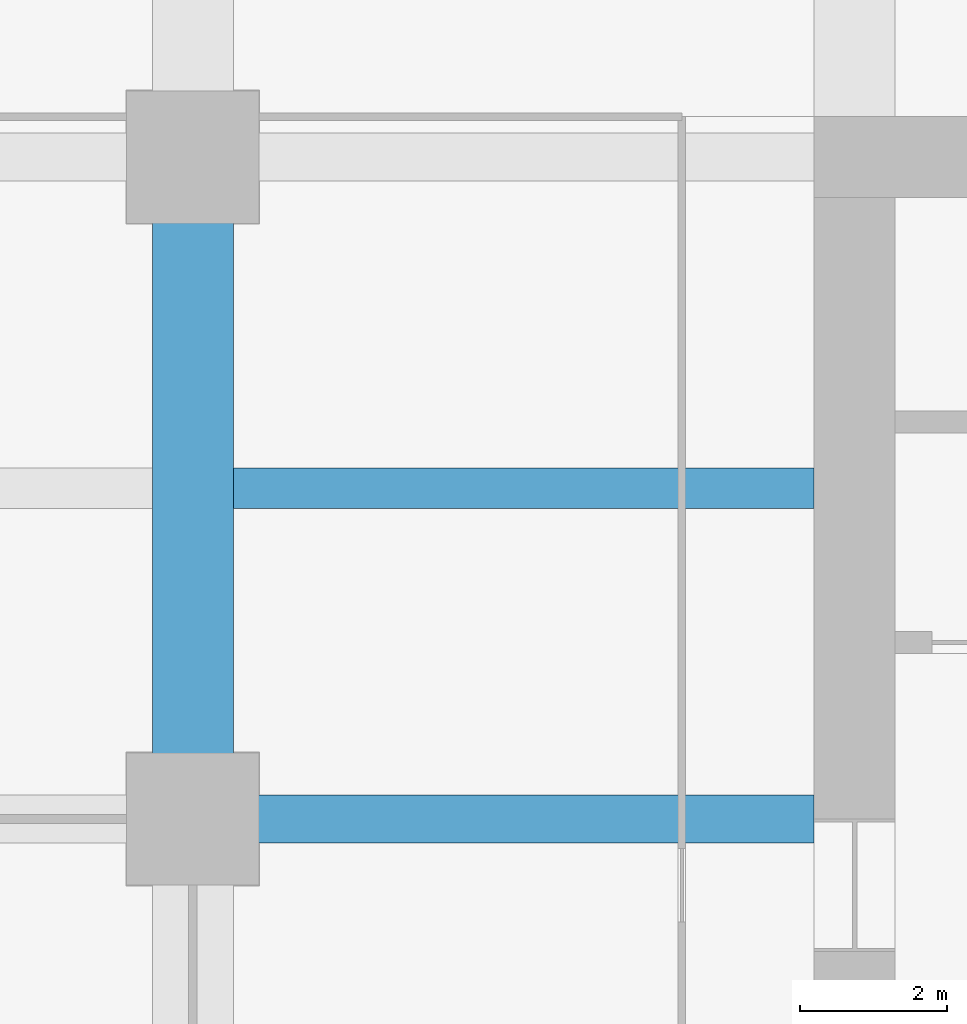
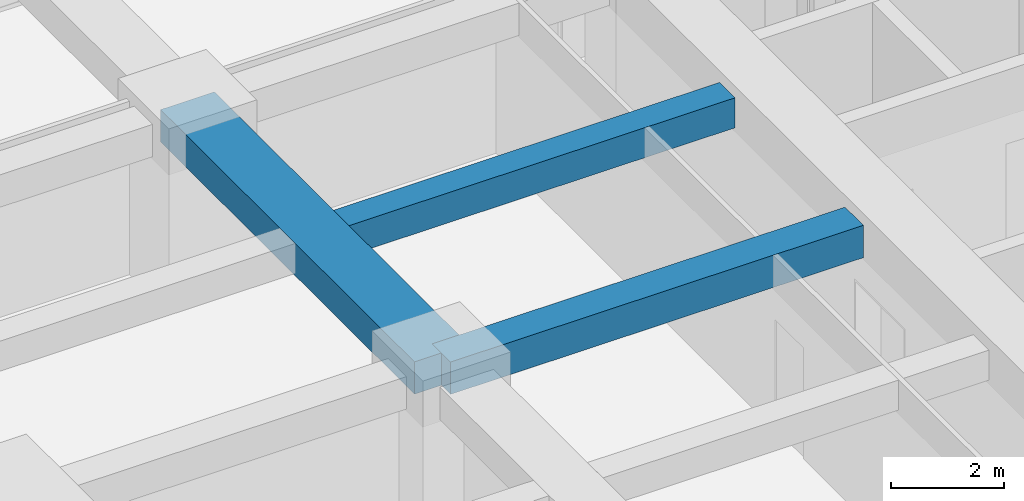
# One storey, part 12 of 40: 3 beams.
"""IFC4 building model written with IfcOpenShell, lengths in metres."""

from ifc_helpers import new_model, si_unit, direction, frame, origin, origin_2d, place, context, subcontext, project, spatial, rectangle, extrude, material, material_profile, profile_set, type_object, element, save


model = new_model("IFC4")

# Units and contexts
model_context = context("Model", 3, precision=1e-05, world=origin(), true_north=direction((0.0, 1.0)))
body_context = subcontext(model_context, "Body", "Model", "MODEL_VIEW")
ifc_project = project(units=[si_unit("LENGTHUNIT", "METRE"), si_unit("AREAUNIT", "SQUARE_METRE"), si_unit("VOLUMEUNIT", "CUBIC_METRE"), si_unit("PLANEANGLEUNIT", "RADIAN"), si_unit("MASSUNIT", "GRAM", prefix="KILO")], contexts=[model_context])

# Site, building, storey
site_placement = place(None, origin())
site = spatial("IfcSite", under=ifc_project, at=site_placement, CompositionType="ELEMENT")
building_placement = place(site_placement, origin())
building = spatial("IfcBuilding", under=site, at=building_placement, Name="Zorevar Civic Tower", CompositionType="ELEMENT")
storey_placement = place(building_placement, frame((0.0, 0.0, 133.0)))
storey = spatial("IfcBuildingStorey", under=building, at=storey_placement, Name="L32", CompositionType="ELEMENT", Elevation=133.0)

# Beams
ifc_material_1 = material(Name="Concrete C50/60", Category="concrete")
ifc_material_profile_1 = material_profile(ifc_material_1, rectangle(XDim=1.10009765625, YDim=0.699951171875, at=origin_2d()), Name="RC 1100x700")
ifc_profile_set_1 = profile_set([ifc_material_profile_1], Name="Concrete C50/60")
beam_type_1 = type_object("IfcBeamType", Name="Beam RC 1100x700", PredefinedType="BEAM", material=ifc_profile_set_1)
beam_1_placement = place(storey_placement, frame((9.0, 27.0, 3.39990234375), z_axis=(0.0, 1.0, 0.0), x_axis=(-1.0, 0.0, 0.0)))
element("IfcBeam", 1, at=beam_1_placement, inside=storey, type_object=beam_type_1, Name="Girder L33", PredefinedType="BEAM", context=body_context, shape_type="SweptSolid", body=[
    extrude(rectangle(XDim=1.10009765625, YDim=0.699951171875, at=origin_2d()), origin(), (0.0, 0.0, 1.0), 9.0),
])
ifc_material_2 = material(Name="Concrete C50/60", Category="concrete")
ifc_material_profile_2 = material_profile(ifc_material_2, rectangle(XDim=0.550048828125, YDim=0.64990234375, at=origin_2d()), Name="RC 550x650")
ifc_profile_set_2 = profile_set([ifc_material_profile_2], Name="Concrete C50/60")
beam_type_2 = type_object("IfcBeamType", Name="Beam RC 550x650", PredefinedType="BEAM", material=ifc_profile_set_2)
beam_2_placement = place(storey_placement, frame((9.550048828125, 31.5, 3.425048828125), z_axis=(1.0, 0.0, 0.0), x_axis=(0.0, 1.0, 0.0)))
element("IfcBeam", 2, at=beam_2_placement, inside=storey, type_object=beam_type_2, Name="Secondary beam L33", PredefinedType="BEAM", context=body_context, shape_type="SweptSolid", body=[
    extrude(rectangle(XDim=0.550048828125, YDim=0.64990234375, at=origin_2d()), origin(), (0.0, 0.0, 1.0), 7.89990234375),
])
ifc_material_3 = material(Name="Concrete C50/60", Category="concrete")
ifc_material_profile_3 = material_profile(ifc_material_3, rectangle(XDim=0.64990234375, YDim=0.699951171875, at=origin_2d()), Name="RC 650x700")
ifc_profile_set_3 = profile_set([ifc_material_profile_3], Name="Concrete C50/60")
beam_type_3 = type_object("IfcBeamType", Name="Beam RC 650x700", PredefinedType="BEAM", material=ifc_profile_set_3)
beam_3_placement = place(storey_placement, frame((9.0, 27.0, 3.39990234375), z_axis=(1.0, 0.0, 0.0), x_axis=(0.0, 1.0, 0.0)))
element("IfcBeam", 3, at=beam_3_placement, inside=storey, type_object=beam_type_3, Name="Girder L33", PredefinedType="BEAM", context=body_context, shape_type="SweptSolid", body=[
    extrude(rectangle(XDim=0.64990234375, YDim=0.699951171875, at=origin_2d()), origin(), (0.0, 0.0, 1.0), 8.449951171875),
])

save(model, "model.ifc")
